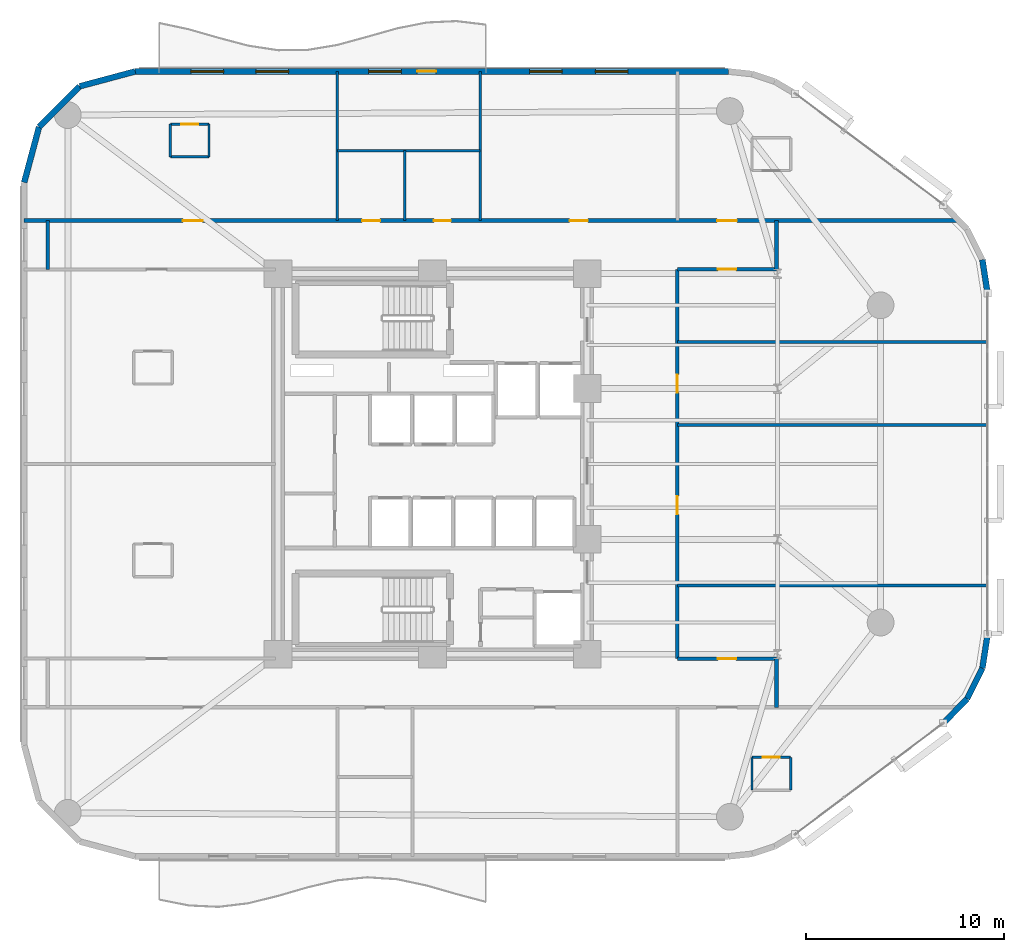
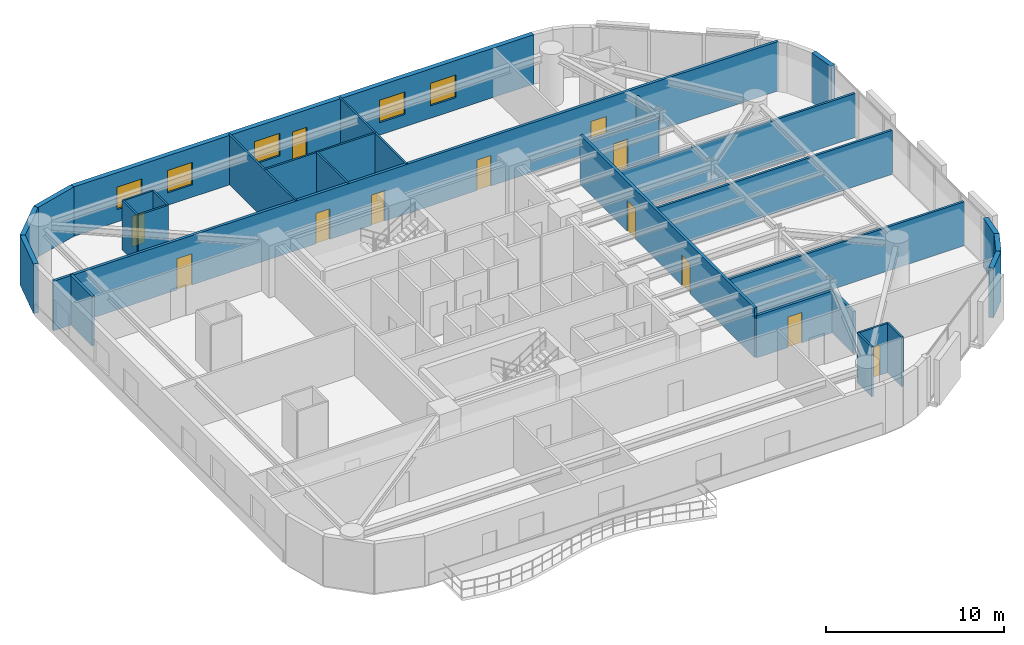
# One storey, part 12 of 15: 29 walls, 12 doors, 5 windows, 17 openings.
"""IFC4 building model written with IfcOpenShell, lengths in metres."""

from ifc_helpers import new_model, si_unit, direction, frame, frame_2d, origin, place, context, subcontext, project, spatial, rectangle, extrude, material, layer, layer_set, type_object, element, fill, save


model = new_model("IFC4")

# Units and contexts
model_context = context("Model", 3, precision=1e-05, world=origin(), true_north=direction((0.0, 1.0)))
body_context = subcontext(model_context, "Body", "Model", "MODEL_VIEW")
ifc_project = project(units=[si_unit("LENGTHUNIT", "METRE"), si_unit("AREAUNIT", "SQUARE_METRE"), si_unit("VOLUMEUNIT", "CUBIC_METRE"), si_unit("PLANEANGLEUNIT", "RADIAN"), si_unit("MASSUNIT", "GRAM", prefix="KILO")], contexts=[model_context])

# Site, building, storey
site_placement = place(None, origin())
site = spatial("IfcSite", under=ifc_project, at=site_placement, CompositionType="ELEMENT")
building_placement = place(site_placement, origin())
building = spatial("IfcBuilding", under=site, at=building_placement, Name="An Khanh Terracotta Commons", CompositionType="ELEMENT")
storey_placement = place(building_placement, frame((0.0, 0.0, 122.300048828125)))
storey = spatial("IfcBuildingStorey", under=building, at=storey_placement, Name="L32", CompositionType="ELEMENT", Elevation=122.300048828125)

# Wall, opening, door
ifc_material_1 = material(Name="Fire-Rated Gypsum Board on Steel Stud", Category="steel")
ifc_layer_1 = layer(ifc_material_1, 0.179931640625, Name="Fire-Rated Gypsum Board on Steel Stud")
ifc_layer_set_1 = layer_set([ifc_layer_1], Name="Fire-Rated Gypsum Board on Steel Stud")
wall_type_1 = type_object("IfcWallType", Name="WALL-CORR-180", PredefinedType="PARTITIONING", material=ifc_layer_set_1)
wall_1_placement = place(storey_placement, frame((41.75, 14.179931640625, 0.0), z_axis=(0.0, 0.0, 1.0), x_axis=(1.0, 0.0, 0.0)))
wall_1 = element("IfcWall", 1, at=wall_1_placement, inside=storey, type_object=wall_type_1, Name="L32 Interior Partition IW-L32-E004", PredefinedType="PARTITIONING", context=body_context, shape_type="SweptSolid", body=[
    extrude(rectangle(XDim=5.0, YDim=0.179931640625, at=frame_2d((2.5, 0.0))), origin(), (0.0, 0.0, 1.0), 2.8818359375),
])
opening_1_placement = place(wall_1_placement, frame((2.0400390625, 0.0, 0.0)))
opening_1 = element("IfcOpeningElement", 2, at=opening_1_placement, cuts=wall_1, Name="Opening D-RM", PredefinedType="OPENING", context=body_context, shape_type="SweptSolid", body=[
    extrude(rectangle(XDim=0.919921875, YDim=2.10009765625, at=frame_2d((0.4599609375, 1.050048828125))), frame((0.0, 0.099853515625, 0.0), z_axis=(0.0, -1.0, 0.0), x_axis=(1.0, 0.0, 0.0)), (0.0, 0.0, 1.0), 0.199951171875),
])
ifc_material_2 = material(Name="Engineered Hardwood Timber Leaf", Category="wood")
door_type_1 = type_object("IfcDoorType", Name="DOOR-INT-920", OperationType="NOTDEFINED", PredefinedType="DOOR", material=ifc_material_2)
door_1_placement = place(opening_1_placement, origin())
door_1 = element("IfcDoor", 3, at=door_1_placement, inside=storey, type_object=door_type_1, Name="L32 FAN1 Collaborative Study Lounge Door", OperationType="SINGLE_SWING_LEFT", OverallHeight=2.10009765625, OverallWidth=0.919921875, PredefinedType="DOOR", context=body_context, shape_type="SweptSolid", body=[
    extrude(rectangle(XDim=0.919921875, YDim=2.10009765625, at=frame_2d((0.4599609375, 1.050048828125))), frame((0.0, 0.02490234375, 0.0), z_axis=(0.0, -1.0, 0.0), x_axis=(1.0, 0.0, 0.0)), (0.0, 0.0, 1.0), 0.050048828125),
])
fill(opening_1, door_1)

wall_2_placement = place(storey_placement, frame((41.75, 33.820068359375, 0.0), z_axis=(0.0, 0.0, 1.0), x_axis=(1.0, 0.0, 0.0)))
wall_2 = element("IfcWall", 4, at=wall_2_placement, inside=storey, type_object=wall_type_1, Name="L32 Interior Partition IW-L32-E010", PredefinedType="PARTITIONING", context=body_context, shape_type="SweptSolid", body=[
    extrude(rectangle(XDim=5.0, YDim=0.179931640625, at=frame_2d((2.5, 0.0))), origin(), (0.0, 0.0, 1.0), 2.8818359375),
])
opening_2_placement = place(wall_2_placement, frame((2.0400390625, 0.0, 0.0)))
opening_2 = element("IfcOpeningElement", 5, at=opening_2_placement, cuts=wall_2, Name="Opening D-RM", PredefinedType="OPENING", context=body_context, shape_type="SweptSolid", body=[
    extrude(rectangle(XDim=0.919921875, YDim=2.10009765625, at=frame_2d((0.4599609375, 1.050048828125))), frame((0.0, 0.099853515625, 0.0), z_axis=(0.0, -1.0, 0.0), x_axis=(1.0, 0.0, 0.0)), (0.0, 0.0, 1.0), 0.199951171875),
])
door_2_placement = place(opening_2_placement, origin())
door_2 = element("IfcDoor", 6, at=door_2_placement, inside=storey, type_object=door_type_1, Name="L32 FAN4 Collaborative Study Lounge Door", OperationType="SINGLE_SWING_RIGHT", OverallHeight=2.10009765625, OverallWidth=0.919921875, PredefinedType="DOOR", context=body_context, shape_type="SweptSolid", body=[
    extrude(rectangle(XDim=0.919921875, YDim=2.10009765625, at=frame_2d((0.4599609375, 1.050048828125))), frame((0.0, 0.02490234375, 0.0), z_axis=(0.0, -1.0, 0.0), x_axis=(1.0, 0.0, 0.0)), (0.0, 0.0, 1.0), 0.050048828125),
])
fill(opening_2, door_2)

# Wall, openings, doors
wall_3_placement = place(storey_placement, frame((8.800048828125, 36.280029296875, 0.0), z_axis=(0.0, 0.0, 1.0), x_axis=(1.0, 0.0, 0.0)))
wall_3 = element("IfcWall", 7, at=wall_3_placement, inside=storey, type_object=wall_type_1, Name="L32 Interior Partition IW-L32-E011", PredefinedType="PARTITIONING", context=body_context, shape_type="SweptSolid", body=[
    extrude(rectangle(XDim=47.140869140625, YDim=0.179931640625, at=frame_2d((23.5703125, 0.0))), origin(), (0.0, 0.0, 1.0), 3.39990234375),
])
opening_3_placement = place(wall_3_placement, frame((17.050048828125, 0.0, 0.0)))
opening_3 = element("IfcOpeningElement", 8, at=opening_3_placement, cuts=wall_3, Name="Opening D-WC", PredefinedType="OPENING", context=body_context, shape_type="SweptSolid", body=[
    extrude(rectangle(XDim=0.89990234375, YDim=2.10009765625, at=frame_2d((0.449951171875, 1.050048828125))), frame((0.0, 0.099853515625, 0.0), z_axis=(0.0, -1.0, 0.0), x_axis=(1.0, 0.0, 0.0)), (0.0, 0.0, 1.0), 0.199951171875),
])
opening_4_placement = place(wall_3_placement, frame((20.669921875, 0.0, 0.0)))
opening_4 = element("IfcOpeningElement", 9, at=opening_4_placement, cuts=wall_3, Name="Opening D-ENS", PredefinedType="OPENING", context=body_context, shape_type="SweptSolid", body=[
    extrude(rectangle(XDim=0.860107421875, YDim=2.10009765625, at=frame_2d((0.43017578125, 1.050048828125))), frame((0.0, 0.099853515625, 0.0), z_axis=(0.0, -1.0, 0.0), x_axis=(1.0, 0.0, 0.0)), (0.0, 0.0, 1.0), 0.199951171875),
])
opening_5_placement = place(wall_3_placement, frame((34.949951171875, 0.0, 0.0)))
opening_5 = element("IfcOpeningElement", 10, at=opening_5_placement, cuts=wall_3, Name="Opening D-UN", PredefinedType="OPENING", context=body_context, shape_type="SweptSolid", body=[
    extrude(rectangle(XDim=1.0, YDim=2.14990234375, at=frame_2d((0.5, 1.074951171875))), frame((0.0, 0.099853515625, 0.0), z_axis=(0.0, -1.0, 0.0), x_axis=(1.0, 0.0, 0.0)), (0.0, 0.0, 1.0), 0.199951171875),
])
opening_6_placement = place(wall_3_placement, frame((8.0, 0.0, 0.0)))
opening_6 = element("IfcOpeningElement", 11, at=opening_6_placement, cuts=wall_3, Name="Opening D-UN", PredefinedType="OPENING", context=body_context, shape_type="SweptSolid", body=[
    extrude(rectangle(XDim=1.0, YDim=2.14990234375, at=frame_2d((0.5, 1.074951171875))), frame((0.0, 0.099853515625, 0.0), z_axis=(0.0, -1.0, 0.0), x_axis=(1.0, 0.0, 0.0)), (0.0, 0.0, 1.0), 0.199951171875),
])
opening_7_placement = place(wall_3_placement, frame((27.514892578125, 0.0, 0.0)))
opening_7 = element("IfcOpeningElement", 12, at=opening_7_placement, cuts=wall_3, Name="Opening D-RM", PredefinedType="OPENING", context=body_context, shape_type="SweptSolid", body=[
    extrude(rectangle(XDim=0.919921875, YDim=2.10009765625, at=frame_2d((0.4599609375, 1.050048828125))), frame((0.0, 0.099853515625, 0.0), z_axis=(0.0, -1.0, 0.0), x_axis=(1.0, 0.0, 0.0)), (0.0, 0.0, 1.0), 0.199951171875),
])
ifc_material_3 = material(Name="Moisture-Resistant Hardwood Timber Leaf", Category="wood")
door_type_2 = type_object("IfcDoorType", Name="DOOR-BATH-860", OperationType="NOTDEFINED", PredefinedType="DOOR", material=ifc_material_3)
door_3_placement = place(opening_4_placement, origin())
door_3 = element("IfcDoor", 13, at=door_3_placement, inside=storey, type_object=door_type_2, Name="L32 SHW Resident Shared Shower and Washroom Door", OperationType="SINGLE_SWING_LEFT", OverallHeight=2.10009765625, OverallWidth=0.860107421875, PredefinedType="DOOR", context=body_context, shape_type="SweptSolid", body=[
    extrude(rectangle(XDim=0.860107421875, YDim=2.10009765625, at=frame_2d((0.43017578125, 1.050048828125))), frame((0.0, 0.02490234375, 0.0), z_axis=(0.0, -1.0, 0.0), x_axis=(1.0, 0.0, 0.0)), (0.0, 0.0, 1.0), 0.050048828125),
])
fill(opening_4, door_3)
door_4_placement = place(opening_7_placement, origin())
door_4 = element("IfcDoor", 14, at=door_4_placement, inside=storey, type_object=door_type_1, Name="L32 NWE Quiet Focus Office Door", OperationType="SINGLE_SWING_RIGHT", OverallHeight=2.10009765625, OverallWidth=0.919921875, PredefinedType="DOOR", context=body_context, shape_type="SweptSolid", body=[
    extrude(rectangle(XDim=0.919921875, YDim=2.10009765625, at=frame_2d((0.4599609375, 1.050048828125))), frame((0.0, 0.02490234375, 0.0), z_axis=(0.0, -1.0, 0.0), x_axis=(1.0, 0.0, 0.0)), (0.0, 0.0, 1.0), 0.050048828125),
])
fill(opening_7, door_4)
ifc_material_4 = material(Name="Solid-Core Hardwood Acoustic Fire Door", Category="wood")
door_type_3 = type_object("IfcDoorType", Name="DOOR-UNIT-1000", OperationType="NOTDEFINED", PredefinedType="DOOR", material=ifc_material_4)
door_5_placement = place(opening_5_placement, origin())
door_5 = element("IfcDoor", 15, at=door_5_placement, inside=storey, type_object=door_type_3, Name="L32 FANN Kitchenette and Studio Apartment Door", OperationType="SINGLE_SWING_LEFT", OverallHeight=2.14990234375, OverallWidth=1.0, PredefinedType="DOOR", context=body_context, shape_type="SweptSolid", body=[
    extrude(rectangle(XDim=1.0, YDim=2.14990234375, at=frame_2d((0.5, 1.074951171875))), frame((0.0, 0.02490234375, 0.0), z_axis=(0.0, -1.0, 0.0), x_axis=(1.0, 0.0, 0.0)), (0.0, 0.0, 1.0), 0.050048828125),
])
fill(opening_5, door_5)
door_6_placement = place(opening_6_placement, origin())
door_6 = element("IfcDoor", 16, at=door_6_placement, inside=storey, type_object=door_type_3, Name="L32 NW1 Kitchenette and Studio Apartment Door", OperationType="SINGLE_SWING_LEFT", OverallHeight=2.14990234375, OverallWidth=1.0, PredefinedType="DOOR", context=body_context, shape_type="SweptSolid", body=[
    extrude(rectangle(XDim=1.0, YDim=2.14990234375, at=frame_2d((0.5, 1.074951171875))), frame((0.0, 0.02490234375, 0.0), z_axis=(0.0, -1.0, 0.0), x_axis=(1.0, 0.0, 0.0)), (0.0, 0.0, 1.0), 0.050048828125),
])
fill(opening_6, door_6)
ifc_material_5 = material(Name="Laminate Moisture-Resistant Timber Leaf", Category="wood")
door_type_4 = type_object("IfcDoorType", Name="DOOR-WC-900", OperationType="NOTDEFINED", PredefinedType="DOOR", material=ifc_material_5)
door_7_placement = place(opening_3_placement, origin())
door_7 = element("IfcDoor", 17, at=door_7_placement, inside=storey, type_object=door_type_4, Name="L32 AWC Accessible WC Door", OperationType="SINGLE_SWING_RIGHT", OverallHeight=2.10009765625, OverallWidth=0.89990234375, PredefinedType="DOOR", context=body_context, shape_type="SweptSolid", body=[
    extrude(rectangle(XDim=0.89990234375, YDim=2.10009765625, at=frame_2d((0.449951171875, 1.050048828125))), frame((0.0, 0.02490234375, 0.0), z_axis=(0.0, -1.0, 0.0), x_axis=(1.0, 0.0, 0.0)), (0.0, 0.0, 1.0), 0.050048828125),
])
fill(opening_3, door_7)

# Wall
wall_4_placement = place(storey_placement, frame((10.0, 33.820068359375, 0.0), z_axis=(0.0, 0.0, 1.0), x_axis=(0.0, 1.0, 0.0)))
element("IfcWall", 18, at=wall_4_placement, inside=storey, type_object=wall_type_1, Name="L32 Interior Partition IW-L32-E014", PredefinedType="PARTITIONING", context=body_context, shape_type="SweptSolid", body=[
    extrude(rectangle(XDim=2.4599609375, YDim=0.179931640625, at=frame_2d((1.22998046875, 0.0))), origin(), (0.0, 0.0, 1.0), 3.39990234375),
])

# Wall, openings, doors
wall_5_placement = place(storey_placement, frame((41.75, 14.179931640625, 0.0), z_axis=(0.0, 0.0, 1.0), x_axis=(0.0, 1.0, 0.0)))
wall_5 = element("IfcWall", 19, at=wall_5_placement, inside=storey, type_object=wall_type_1, Name="L32 Interior Partition IW-L32-E021", PredefinedType="PARTITIONING", context=body_context, shape_type="SweptSolid", body=[
    extrude(rectangle(XDim=19.64013671875, YDim=0.179931640625, at=frame_2d((9.820068359375, 0.0))), origin(), (0.0, 0.0, 1.0), 3.39990234375),
])
opening_8_placement = place(wall_5_placement, frame((7.27294921875, 0.0, 0.0)))
opening_8 = element("IfcOpeningElement", 20, at=opening_8_placement, cuts=wall_5, Name="Opening D-RM", PredefinedType="OPENING", context=body_context, shape_type="SweptSolid", body=[
    extrude(rectangle(XDim=0.919921875, YDim=2.10009765625, at=frame_2d((0.4599609375, 1.050048828125))), frame((0.0, 0.099853515625, 0.0), z_axis=(0.0, -1.0, 0.0), x_axis=(1.0, 0.0, 0.0)), (0.0, 0.0, 1.0), 0.199951171875),
])
opening_9_placement = place(wall_5_placement, frame((13.412109375, 0.0, 0.0)))
opening_9 = element("IfcOpeningElement", 21, at=opening_9_placement, cuts=wall_5, Name="Opening D-RM", PredefinedType="OPENING", context=body_context, shape_type="SweptSolid", body=[
    extrude(rectangle(XDim=0.919921875, YDim=2.10009765625, at=frame_2d((0.4599609375, 1.050048828125))), frame((0.0, 0.099853515625, 0.0), z_axis=(0.0, -1.0, 0.0), x_axis=(1.0, 0.0, 0.0)), (0.0, 0.0, 1.0), 0.199951171875),
])
door_8_placement = place(opening_8_placement, origin())
door_8 = element("IfcDoor", 22, at=door_8_placement, inside=storey, type_object=door_type_1, Name="L32 FAN2 Riverfront Reading Hall Door", OperationType="SINGLE_SWING_RIGHT", OverallHeight=2.10009765625, OverallWidth=0.919921875, PredefinedType="DOOR", context=body_context, shape_type="SweptSolid", body=[
    extrude(rectangle(XDim=0.919921875, YDim=2.10009765625, at=frame_2d((0.4599609375, 1.050048828125))), frame((0.0, 0.02490234375, 0.0), z_axis=(0.0, -1.0, 0.0), x_axis=(1.0, 0.0, 0.0)), (0.0, 0.0, 1.0), 0.050048828125),
])
fill(opening_8, door_8)
door_9_placement = place(opening_9_placement, origin())
door_9 = element("IfcDoor", 23, at=door_9_placement, inside=storey, type_object=door_type_1, Name="L32 FAN3 Collaborative Study Lounge Door", OperationType="SINGLE_SWING_LEFT", OverallHeight=2.10009765625, OverallWidth=0.919921875, PredefinedType="DOOR", context=body_context, shape_type="SweptSolid", body=[
    extrude(rectangle(XDim=0.919921875, YDim=2.10009765625, at=frame_2d((0.4599609375, 1.050048828125))), frame((0.0, 0.02490234375, 0.0), z_axis=(0.0, -1.0, 0.0), x_axis=(1.0, 0.0, 0.0)), (0.0, 0.0, 1.0), 0.050048828125),
])
fill(opening_9, door_9)

# Walls
for number, where, z_axis, x_axis, name in (
    (24, (46.75, 11.719970703125, 0.0), (0.0, 0.0, 1.0), (0.0, 1.0, 0.0), "L32 Interior Partition IW-L32-E023"),
    (25, (46.75, 33.820068359375, 0.0), (0.0, 0.0, 1.0), (0.0, 1.0, 0.0), "L32 Interior Partition IW-L32-E024"),
):
    element("IfcWall", number, at=place(storey_placement, frame(where, z_axis=z_axis, x_axis=x_axis)), inside=storey, type_object=wall_type_1, Name=name, PredefinedType="PARTITIONING", context=body_context, shape_type="SweptSolid", body=[
        extrude(rectangle(XDim=2.4599609375, YDim=0.179931640625, at=frame_2d((1.22998046875, 0.0))), origin(), (0.0, 0.0, 1.0), 2.8818359375),
    ])
ifc_material_6 = material(Name="Precast concrete C40/50", Category="concrete")
ifc_layer_2 = layer(ifc_material_6, 0.300048828125, Name="Precast concrete C40/50")
ifc_layer_set_2 = layer_set([ifc_layer_2], Name="Precast concrete C40/50")
wall_type_2 = type_object("IfcWallType", Name="WALL-EXT-300", PredefinedType="SOLIDWALL", material=ifc_layer_set_2)
for number, where, z_axis, x_axis, name in (
    (26, (55.159912109375, 10.919921875, 0.0), (0.0, 0.0, 1.0), (0.6983450845, 0.715761233201, 0.0), "L32 Insulated Terracotta Exterior Wall 9"),
    (27, (56.364013671875, 12.154052734375, 0.0), (0.0, 0.0, 1.0), (0.4472135955, 0.894427191, 0.0), "L32 Insulated Terracotta Exterior Wall 10"),
):
    element("IfcWall", number, at=place(storey_placement, frame(where, z_axis=z_axis, x_axis=x_axis)), inside=storey, type_object=wall_type_2, Name=name, PredefinedType="SOLIDWALL", context=body_context, shape_type="SweptSolid", body=[
        extrude(rectangle(XDim=1.72412109375, YDim=0.300048828125, at=frame_2d((0.862060546875, 0.0))), origin(), (0.0, 0.0, 1.0), 3.39990234375),
    ])
for number, where, z_axis, x_axis, name in (
    (28, (57.135009765625, 13.696044921875, 0.0), (0.0, 0.0, 1.0), (0.153620989032, 0.988129845581, 0.0), "L32 Insulated Terracotta Exterior Wall 11"),
    (29, (57.39990234375, 32.60009765625, 0.0), (0.0, 0.0, 1.0), (-0.153620989032, 0.988129845581, 0.0), "L32 Insulated Terracotta Exterior Wall 13"),
):
    element("IfcWall", number, at=place(storey_placement, frame(where, z_axis=z_axis, x_axis=x_axis)), inside=storey, type_object=wall_type_2, Name=name, PredefinedType="SOLIDWALL", context=body_context, shape_type="SweptSolid", body=[
        extrude(rectangle(XDim=1.724365234375, YDim=0.300048828125, at=frame_2d((0.8623046875, 0.0))), origin(), (0.0, 0.0, 1.0), 3.39990234375),
    ])

# Wall, openings, door, windows
wall_6_placement = place(storey_placement, frame((44.3330078125, 43.800048828125, 0.0), z_axis=(0.0, 0.0, 1.0), x_axis=(-1.0, 0.0, 0.0)))
wall_6 = element("IfcWall", 30, at=wall_6_placement, inside=storey, type_object=wall_type_2, Name="L32 Insulated Terracotta Exterior Wall 20", PredefinedType="SOLIDWALL", context=body_context, shape_type="SweptSolid", body=[
    extrude(rectangle(XDim=29.93310546875, YDim=0.300048828125, at=frame_2d((14.966552734375, 0.0))), origin(), (0.0, 0.0, 1.0), 3.39990234375),
])
opening_10_placement = place(wall_6_placement, frame((14.758056640625, 0.0, 0.0)))
opening_10 = element("IfcOpeningElement", 31, at=opening_10_placement, cuts=wall_6, Name="Opening D-BAL", PredefinedType="OPENING", context=body_context, shape_type="SweptSolid", body=[
    extrude(rectangle(XDim=0.949951171875, YDim=2.199951171875, at=frame_2d((0.47509765625, 1.10009765625))), frame((0.0, 0.159912109375, 0.0), z_axis=(0.0, -1.0, 0.0), x_axis=(1.0, 0.0, 0.0)), (0.0, 0.0, 1.0), 0.320068359375),
])
opening_11_placement = place(wall_6_placement, frame((5.074951171875, 0.0, 0.85009765625)))
opening_11 = element("IfcOpeningElement", 32, at=opening_11_placement, cuts=wall_6, Name="Opening W-02", PredefinedType="OPENING", context=body_context, shape_type="SweptSolid", body=[
    extrude(rectangle(XDim=1.64990234375, YDim=1.550048828125, at=frame_2d((0.824951171875, 0.77490234375))), frame((0.0, 0.159912109375, 0.0), z_axis=(0.0, -1.0, 0.0), x_axis=(1.0, 0.0, 0.0)), (0.0, 0.0, 1.0), 0.320068359375),
])
opening_12_placement = place(wall_6_placement, frame((8.39111328125, 0.0, 0.85009765625)))
opening_12 = element("IfcOpeningElement", 33, at=opening_12_placement, cuts=wall_6, Name="Opening W-02", PredefinedType="OPENING", context=body_context, shape_type="SweptSolid", body=[
    extrude(rectangle(XDim=1.64990234375, YDim=1.550048828125, at=frame_2d((0.824951171875, 0.77490234375))), frame((0.0, 0.159912109375, 0.0), z_axis=(0.0, -1.0, 0.0), x_axis=(1.0, 0.0, 0.0)), (0.0, 0.0, 1.0), 0.320068359375),
])
opening_13_placement = place(wall_6_placement, frame((16.508056640625, 0.0, 0.85009765625)))
opening_13 = element("IfcOpeningElement", 34, at=opening_13_placement, cuts=wall_6, Name="Opening W-02", PredefinedType="OPENING", context=body_context, shape_type="SweptSolid", body=[
    extrude(rectangle(XDim=1.64990234375, YDim=1.550048828125, at=frame_2d((0.824951171875, 0.77490234375))), frame((0.0, 0.159912109375, 0.0), z_axis=(0.0, -1.0, 0.0), x_axis=(1.0, 0.0, 0.0)), (0.0, 0.0, 1.0), 0.320068359375),
])
opening_14_placement = place(wall_6_placement, frame((22.19091796875, 0.0, 0.85009765625)))
opening_14 = element("IfcOpeningElement", 35, at=opening_14_placement, cuts=wall_6, Name="Opening W-02", PredefinedType="OPENING", context=body_context, shape_type="SweptSolid", body=[
    extrude(rectangle(XDim=1.64990234375, YDim=1.550048828125, at=frame_2d((0.824951171875, 0.77490234375))), frame((0.0, 0.159912109375, 0.0), z_axis=(0.0, -1.0, 0.0), x_axis=(1.0, 0.0, 0.0)), (0.0, 0.0, 1.0), 0.320068359375),
])
opening_15_placement = place(wall_6_placement, frame((25.47509765625, 0.0, 0.85009765625)))
opening_15 = element("IfcOpeningElement", 36, at=opening_15_placement, cuts=wall_6, Name="Opening W-02", PredefinedType="OPENING", context=body_context, shape_type="SweptSolid", body=[
    extrude(rectangle(XDim=1.64990234375, YDim=1.550048828125, at=frame_2d((0.824951171875, 0.77490234375))), frame((0.0, 0.159912109375, 0.0), z_axis=(0.0, -1.0, 0.0), x_axis=(1.0, 0.0, 0.0)), (0.0, 0.0, 1.0), 0.320068359375),
])
ifc_material_7 = material(Name="Thermally Broken Aluminium and Low-E Glass", Category="aluminium")
door_type_5 = type_object("IfcDoorType", Name="DOOR-BALC-950", OperationType="NOTDEFINED", PredefinedType="DOOR", material=ifc_material_7)
door_10_placement = place(opening_10_placement, origin())
door_10 = element("IfcDoor", 37, at=door_10_placement, inside=storey, type_object=door_type_5, Name="L32 N Wave Balcony Glazed Door", OperationType="SINGLE_SWING_RIGHT", OverallHeight=2.199951171875, OverallWidth=0.949951171875, PredefinedType="DOOR", context=body_context, shape_type="SweptSolid", body=[
    extrude(rectangle(XDim=0.949951171875, YDim=2.199951171875, at=frame_2d((0.47509765625, 1.10009765625))), frame((0.0, 0.02490234375, 0.0), z_axis=(0.0, -1.0, 0.0), x_axis=(1.0, 0.0, 0.0)), (0.0, 0.0, 1.0), 0.050048828125),
])
fill(opening_10, door_10)
window_type = type_object("IfcWindowType", Name="WIN-Z2-1650x1550", PartitioningType="DOUBLE_PANEL_VERTICAL", PredefinedType="WINDOW", material=ifc_material_7)
window_1_placement = place(opening_11_placement, origin())
window_1 = element("IfcWindow", 38, at=window_1_placement, inside=storey, type_object=window_type, Name="L32 Operable Casement Window 20.1", OverallHeight=1.550048828125, OverallWidth=1.64990234375, PartitioningType="DOUBLE_PANEL_VERTICAL", PredefinedType="WINDOW", context=body_context, shape_type="SweptSolid", body=[
    extrude(rectangle(XDim=1.64990234375, YDim=1.550048828125, at=frame_2d((0.824951171875, 0.77490234375))), frame((0.0, 0.030029296875, 0.0), z_axis=(0.0, -1.0, 0.0), x_axis=(1.0, 0.0, 0.0)), (0.0, 0.0, 1.0), 0.06005859375),
])
fill(opening_11, window_1)
window_2_placement = place(opening_12_placement, origin())
window_2 = element("IfcWindow", 39, at=window_2_placement, inside=storey, type_object=window_type, Name="L32 Operable Casement Window 20.2", OverallHeight=1.550048828125, OverallWidth=1.64990234375, PartitioningType="DOUBLE_PANEL_VERTICAL", PredefinedType="WINDOW", context=body_context, shape_type="SweptSolid", body=[
    extrude(rectangle(XDim=1.64990234375, YDim=1.550048828125, at=frame_2d((0.824951171875, 0.77490234375))), frame((0.0, 0.030029296875, 0.0), z_axis=(0.0, -1.0, 0.0), x_axis=(1.0, 0.0, 0.0)), (0.0, 0.0, 1.0), 0.06005859375),
])
fill(opening_12, window_2)
window_3_placement = place(opening_13_placement, origin())
window_3 = element("IfcWindow", 40, at=window_3_placement, inside=storey, type_object=window_type, Name="L32 Operable Casement Window 20.3", OverallHeight=1.550048828125, OverallWidth=1.64990234375, PartitioningType="DOUBLE_PANEL_VERTICAL", PredefinedType="WINDOW", context=body_context, shape_type="SweptSolid", body=[
    extrude(rectangle(XDim=1.64990234375, YDim=1.550048828125, at=frame_2d((0.824951171875, 0.77490234375))), frame((0.0, 0.030029296875, 0.0), z_axis=(0.0, -1.0, 0.0), x_axis=(1.0, 0.0, 0.0)), (0.0, 0.0, 1.0), 0.06005859375),
])
fill(opening_13, window_3)
window_4_placement = place(opening_14_placement, origin())
window_4 = element("IfcWindow", 41, at=window_4_placement, inside=storey, type_object=window_type, Name="L32 Operable Casement Window 20.4", OverallHeight=1.550048828125, OverallWidth=1.64990234375, PartitioningType="DOUBLE_PANEL_VERTICAL", PredefinedType="WINDOW", context=body_context, shape_type="SweptSolid", body=[
    extrude(rectangle(XDim=1.64990234375, YDim=1.550048828125, at=frame_2d((0.824951171875, 0.77490234375))), frame((0.0, 0.030029296875, 0.0), z_axis=(0.0, -1.0, 0.0), x_axis=(1.0, 0.0, 0.0)), (0.0, 0.0, 1.0), 0.06005859375),
])
fill(opening_14, window_4)
window_5_placement = place(opening_15_placement, origin())
window_5 = element("IfcWindow", 42, at=window_5_placement, inside=storey, type_object=window_type, Name="L32 Operable Casement Window 20.5", OverallHeight=1.550048828125, OverallWidth=1.64990234375, PartitioningType="DOUBLE_PANEL_VERTICAL", PredefinedType="WINDOW", context=body_context, shape_type="SweptSolid", body=[
    extrude(rectangle(XDim=1.64990234375, YDim=1.550048828125, at=frame_2d((0.824951171875, 0.77490234375))), frame((0.0, 0.030029296875, 0.0), z_axis=(0.0, -1.0, 0.0), x_axis=(1.0, 0.0, 0.0)), (0.0, 0.0, 1.0), 0.06005859375),
])
fill(opening_15, window_5)

# Walls
wall_7_placement = place(storey_placement, frame((14.39990234375, 43.800048828125, 0.0), z_axis=(0.0, 0.0, 1.0), x_axis=(-0.965943540406, -0.258752926066, 0.0)))
element("IfcWall", 43, at=wall_7_placement, inside=storey, type_object=wall_type_2, Name="L32 Insulated Terracotta Exterior Wall 21", PredefinedType="SOLIDWALL", context=body_context, shape_type="SweptSolid", body=[
    extrude(rectangle(XDim=2.8984375, YDim=0.300048828125, at=frame_2d((1.44921875, 0.0))), origin(), (0.0, 0.0, 1.0), 3.39990234375),
])
wall_8_placement = place(storey_placement, frame((11.60009765625, 43.050048828125, 0.0), z_axis=(0.0, 0.0, 1.0), x_axis=(-0.707106781187, -0.707106781187, 0.0)))
element("IfcWall", 44, at=wall_8_placement, inside=storey, type_object=wall_type_2, Name="L32 Insulated Terracotta Exterior Wall 22", PredefinedType="SOLIDWALL", context=body_context, shape_type="SweptSolid", body=[
    extrude(rectangle(XDim=2.899169921875, YDim=0.300048828125, at=frame_2d((1.44970703125, 0.0))), origin(), (0.0, 0.0, 1.0), 3.39990234375),
])
wall_9_placement = place(storey_placement, frame((9.550048828125, 41.0, 0.0), z_axis=(0.0, 0.0, 1.0), x_axis=(-0.258731875344, -0.96594917914, 0.0)))
element("IfcWall", 45, at=wall_9_placement, inside=storey, type_object=wall_type_2, Name="L32 Insulated Terracotta Exterior Wall 23", PredefinedType="SOLIDWALL", context=body_context, shape_type="SweptSolid", body=[
    extrude(rectangle(XDim=2.898681640625, YDim=0.300048828125, at=frame_2d((1.44921875, 0.0))), origin(), (0.0, 0.0, 1.0), 3.39990234375),
])
ifc_material_8 = material(Name="Acoustic Gypsum Board Partition")
ifc_layer_3 = layer(ifc_material_8, 0.14990234375, Name="Acoustic Gypsum Board Partition")
ifc_layer_set_3 = layer_set([ifc_layer_3], Name="Acoustic Gypsum Board Partition")
wall_type_3 = type_object("IfcWallType", Name="WALL-PART-150", PredefinedType="PARTITIONING", material=ifc_layer_set_3)
for number, where, z_axis, x_axis, name in (
    (46, (41.75, 17.860107421875, 0.0), (0.0, 0.0, 1.0), (1.0, 0.0, 0.0), "L32 Interior Partition IW-L32-E005"),
    (47, (41.75, 25.965087890625, 0.0), (0.0, 0.0, 1.0), (1.0, 0.0, 0.0), "L32 Interior Partition IW-L32-E007"),
    (48, (41.75, 30.139892578125, 0.0), (0.0, 0.0, 1.0), (1.0, 0.0, 0.0), "L32 Interior Partition IW-L32-E008"),
):
    element("IfcWall", number, at=place(storey_placement, frame(where, z_axis=z_axis, x_axis=x_axis)), inside=storey, type_object=wall_type_3, Name=name, PredefinedType="PARTITIONING", context=body_context, shape_type="SweptSolid", body=[
        extrude(rectangle(XDim=15.64990234375, YDim=0.14990234375, at=frame_2d((7.824951171875, 0.0))), origin(), (0.0, 0.0, 1.0), 3.02197265625),
    ])

# Wall, opening, door
ifc_material_9 = material(Name="Moisture-Resistant Cement Board Partition")
ifc_layer_4 = layer(ifc_material_9, 0.1201171875, Name="Moisture-Resistant Cement Board Partition")
ifc_layer_set_4 = layer_set([ifc_layer_4], Name="Moisture-Resistant Cement Board Partition")
wall_type_4 = type_object("IfcWallType", Name="WALL-WET-120", PredefinedType="PARTITIONING", material=ifc_layer_set_4)
wall_10_placement = place(storey_placement, frame((45.51611328125, 9.198974609375, 0.0), z_axis=(0.0, 0.0, 1.0), x_axis=(1.0, 0.0, 0.0)))
wall_10 = element("IfcWall", 49, at=wall_10_placement, inside=storey, type_object=wall_type_4, Name="L32 Interior Partition IW-L32-FANS-BN", PredefinedType="PARTITIONING", context=body_context, shape_type="SweptSolid", body=[
    extrude(rectangle(XDim=1.949951171875, YDim=0.1201171875, at=frame_2d((0.97509765625, 0.0))), origin(), (0.0, 0.0, 1.0), 3.39990234375),
])
opening_16_placement = place(wall_10_placement, frame((0.544921875, 0.0, 0.0)))
opening_16 = element("IfcOpeningElement", 50, at=opening_16_placement, cuts=wall_10, Name="Opening D-ENS", PredefinedType="OPENING", context=body_context, shape_type="SweptSolid", body=[
    extrude(rectangle(XDim=0.860107421875, YDim=2.10009765625, at=frame_2d((0.43017578125, 1.050048828125))), frame((0.0, 0.070068359375, 0.0), z_axis=(0.0, -1.0, 0.0), x_axis=(1.0, 0.0, 0.0)), (0.0, 0.0, 1.0), 0.14013671875),
])
door_11_placement = place(opening_16_placement, origin())
door_11 = element("IfcDoor", 51, at=door_11_placement, inside=storey, type_object=door_type_2, Name="L32 Studio FANS En-suite Door", OperationType="SINGLE_SWING_RIGHT", OverallHeight=2.10009765625, OverallWidth=0.860107421875, PredefinedType="DOOR", context=body_context, shape_type="SweptSolid", body=[
    extrude(rectangle(XDim=0.860107421875, YDim=2.10009765625, at=frame_2d((0.43017578125, 1.050048828125))), frame((0.0, 0.02490234375, 0.0), z_axis=(0.0, -1.0, 0.0), x_axis=(1.0, 0.0, 0.0)), (0.0, 0.0, 1.0), 0.050048828125),
])
fill(opening_16, door_11)

# Walls
for number, where, z_axis, x_axis, name in (
    (52, (45.51611328125, 9.198974609375, 0.0), (0.0, 0.0, 1.0), (0.0, -1.0, 0.0), "L32 Interior Partition IW-L32-FANS-BW"),
    (53, (47.466064453125, 7.549072265625, 0.0), (0.0, 0.0, 1.0), (0.0, 1.0, 0.0), "L32 Interior Partition IW-L32-FANS-BE"),
):
    element("IfcWall", number, at=place(storey_placement, frame(where, z_axis=z_axis, x_axis=x_axis)), inside=storey, type_object=wall_type_4, Name=name, PredefinedType="PARTITIONING", context=body_context, shape_type="SweptSolid", body=[
        extrude(rectangle(XDim=1.64990234375, YDim=0.1201171875, at=frame_2d((0.824951171875, 0.0))), origin(), (0.0, 0.0, 1.0), 3.39990234375),
    ])

# Wall, opening, door
wall_11_placement = place(storey_placement, frame((16.174072265625, 41.14208984375, 0.0), z_axis=(0.0, 0.0, 1.0), x_axis=(1.0, 0.0, 0.0)))
wall_11 = element("IfcWall", 54, at=wall_11_placement, inside=storey, type_object=wall_type_4, Name="L32 Interior Partition IW-L32-NW1-BN", PredefinedType="PARTITIONING", context=body_context, shape_type="SweptSolid", body=[
    extrude(rectangle(XDim=1.949951171875, YDim=0.1201171875, at=frame_2d((0.97509765625, 0.0))), origin(), (0.0, 0.0, 1.0), 3.39990234375),
])
opening_17_placement = place(wall_11_placement, frame((0.544921875, 0.0, 0.0)))
opening_17 = element("IfcOpeningElement", 55, at=opening_17_placement, cuts=wall_11, Name="Opening D-ENS", PredefinedType="OPENING", context=body_context, shape_type="SweptSolid", body=[
    extrude(rectangle(XDim=0.860107421875, YDim=2.10009765625, at=frame_2d((0.43017578125, 1.050048828125))), frame((0.0, 0.070068359375, 0.0), z_axis=(0.0, -1.0, 0.0), x_axis=(1.0, 0.0, 0.0)), (0.0, 0.0, 1.0), 0.14013671875),
])
door_12_placement = place(opening_17_placement, origin())
door_12 = element("IfcDoor", 56, at=door_12_placement, inside=storey, type_object=door_type_2, Name="L32 Studio NW1 En-suite Door", OperationType="SINGLE_SWING_LEFT", OverallHeight=2.10009765625, OverallWidth=0.860107421875, PredefinedType="DOOR", context=body_context, shape_type="SweptSolid", body=[
    extrude(rectangle(XDim=0.860107421875, YDim=2.10009765625, at=frame_2d((0.43017578125, 1.050048828125))), frame((0.0, 0.02490234375, 0.0), z_axis=(0.0, -1.0, 0.0), x_axis=(1.0, 0.0, 0.0)), (0.0, 0.0, 1.0), 0.050048828125),
])
fill(opening_17, door_12)

# Walls
wall_12_placement = place(storey_placement, frame((18.1240234375, 39.491943359375, 0.0), z_axis=(0.0, 0.0, 1.0), x_axis=(-1.0, 0.0, 0.0)))
element("IfcWall", 57, at=wall_12_placement, inside=storey, type_object=wall_type_4, Name="L32 Interior Partition IW-L32-NW1-BS", PredefinedType="PARTITIONING", context=body_context, shape_type="SweptSolid", body=[
    extrude(rectangle(XDim=1.949951171875, YDim=0.1201171875, at=frame_2d((0.97509765625, 0.0))), origin(), (0.0, 0.0, 1.0), 3.39990234375),
])
for number, where, z_axis, x_axis, name in (
    (58, (16.174072265625, 41.14208984375, 0.0), (0.0, 0.0, 1.0), (0.0, -1.0, 0.0), "L32 Interior Partition IW-L32-NW1-BW"),
    (59, (18.1240234375, 39.491943359375, 0.0), (0.0, 0.0, 1.0), (0.0, 1.0, 0.0), "L32 Interior Partition IW-L32-NW1-BE"),
):
    element("IfcWall", number, at=place(storey_placement, frame(where, z_axis=z_axis, x_axis=x_axis)), inside=storey, type_object=wall_type_4, Name=name, PredefinedType="PARTITIONING", context=body_context, shape_type="SweptSolid", body=[
        extrude(rectangle(XDim=1.650146484375, YDim=0.1201171875, at=frame_2d((0.8251953125, 0.0))), origin(), (0.0, 0.0, 1.0), 3.39990234375),
    ])
wall_13_placement = place(storey_placement, frame((24.60009765625, 39.800048828125, 0.0), z_axis=(0.0, 0.0, 1.0), x_axis=(1.0, 0.0, 0.0)))
element("IfcWall", 60, at=wall_13_placement, inside=storey, type_object=wall_type_4, Name="L32 Interior Partition IW-L32-E012", PredefinedType="PARTITIONING", context=body_context, shape_type="SweptSolid", body=[
    extrude(rectangle(XDim=7.199951171875, YDim=0.1201171875, at=frame_2d((3.60009765625, 0.0))), origin(), (0.0, 0.0, 1.0), 3.39990234375),
])
wall_14_placement = place(storey_placement, frame((24.60009765625, 36.280029296875, 0.0), z_axis=(0.0, 0.0, 1.0), x_axis=(0.0, 1.0, 0.0)))
element("IfcWall", 61, at=wall_14_placement, inside=storey, type_object=wall_type_4, Name="L32 Interior Partition IW-L32-E016", PredefinedType="PARTITIONING", context=body_context, shape_type="SweptSolid", body=[
    extrude(rectangle(XDim=7.52001953125, YDim=0.1201171875, at=frame_2d((3.760009765625, 0.0))), origin(), (0.0, 0.0, 1.0), 3.39990234375),
])
wall_15_placement = place(storey_placement, frame((28.0, 36.280029296875, 0.0), z_axis=(0.0, 0.0, 1.0), x_axis=(0.0, 1.0, 0.0)))
element("IfcWall", 62, at=wall_15_placement, inside=storey, type_object=wall_type_4, Name="L32 Interior Partition IW-L32-E017", PredefinedType="PARTITIONING", context=body_context, shape_type="SweptSolid", body=[
    extrude(rectangle(XDim=3.52001953125, YDim=0.1201171875, at=frame_2d((1.760009765625, 0.0))), origin(), (0.0, 0.0, 1.0), 3.39990234375),
])
wall_16_placement = place(storey_placement, frame((31.800048828125, 36.280029296875, 0.0), z_axis=(0.0, 0.0, 1.0), x_axis=(0.0, 1.0, 0.0)))
element("IfcWall", 63, at=wall_16_placement, inside=storey, type_object=wall_type_4, Name="L32 Interior Partition IW-L32-E019", PredefinedType="PARTITIONING", context=body_context, shape_type="SweptSolid", body=[
    extrude(rectangle(XDim=7.52001953125, YDim=0.1201171875, at=frame_2d((3.760009765625, 0.0))), origin(), (0.0, 0.0, 1.0), 3.39990234375),
])

save(model, "model.ifc")
